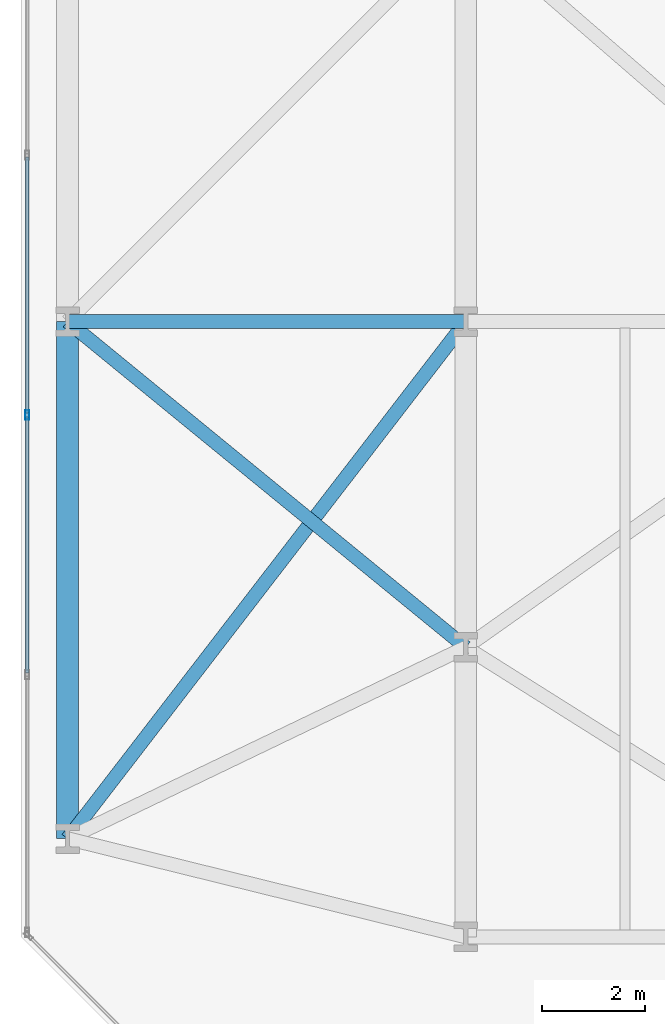
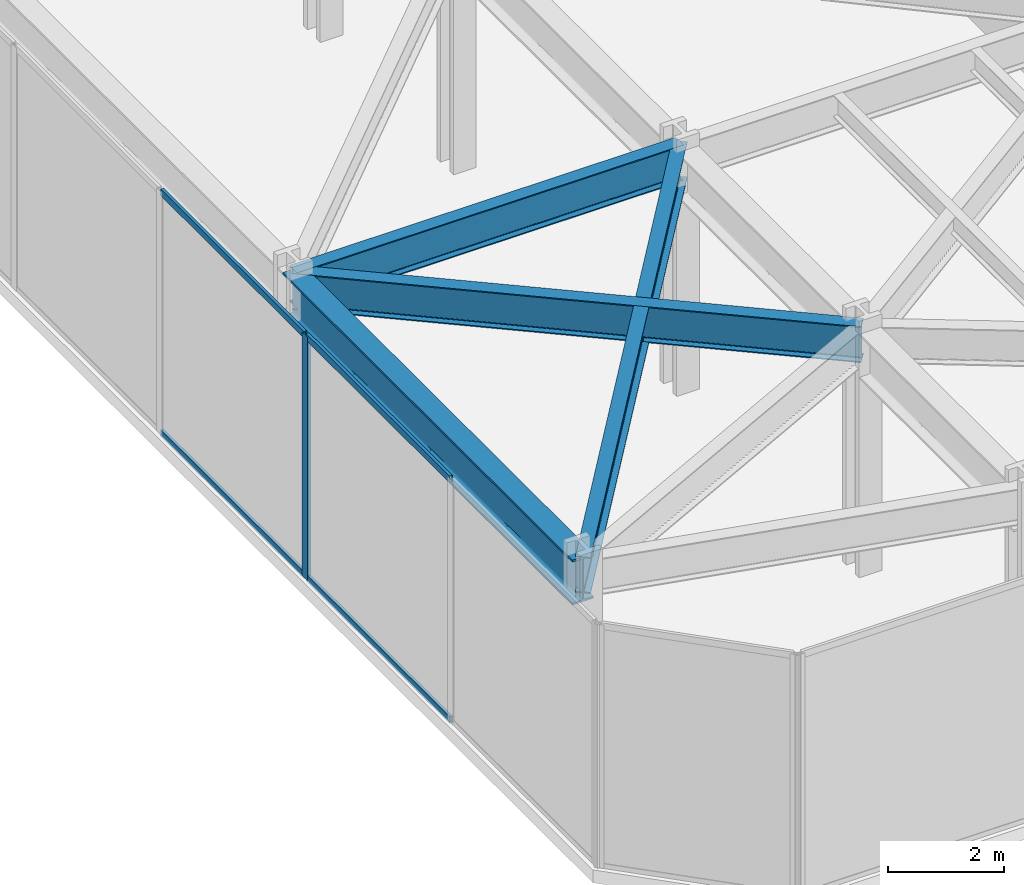
# One storey, part 4 of 29: 5 members, 4 beams, 1 element without a shape of its own.
"""IFC4 building model written with IfcOpenShell, lengths in metres."""

from ifc_helpers import new_model, si_unit, direction, frame, origin, origin_2d, place, context, subcontext, project, spatial, hollow_rectangle, i_section, extrude, material, layer, layer_set, material_profile, profile_set, type_object, element, aggregate, save


model = new_model("IFC4")

# Units and contexts
model_context = context("Model", 3, precision=1e-05, world=origin(), true_north=direction((0.0, 1.0)))
body_context = subcontext(model_context, "Body", "Model", "MODEL_VIEW")
ifc_project = project(units=[si_unit("LENGTHUNIT", "METRE"), si_unit("AREAUNIT", "SQUARE_METRE"), si_unit("VOLUMEUNIT", "CUBIC_METRE"), si_unit("PLANEANGLEUNIT", "RADIAN"), si_unit("MASSUNIT", "GRAM", prefix="KILO")], contexts=[model_context])

# Site, building, storey
site_placement = place(None, origin())
site = spatial("IfcSite", under=ifc_project, at=site_placement, CompositionType="ELEMENT")
building_placement = place(site_placement, origin())
building = spatial("IfcBuilding", under=site, at=building_placement, Name="Kravanh Interchange Tower", CompositionType="ELEMENT")
storey_placement = place(building_placement, frame((0.0, 0.0, 5.39990234375)))
storey = spatial("IfcBuildingStorey", under=building, at=storey_placement, Name="L01", CompositionType="ELEMENT", Elevation=5.39990234375)

# Curtain wall, members
ifc_material_1 = material(Name="Anodised Bronze Aluminium", Category="aluminium")
ifc_layer = layer(ifc_material_1, 0.179931640625)
ifc_layer_set = layer_set([ifc_layer], Name="Unitised Curtain Wall System CW-POD Podium Concourse")
curtain_wall_type = type_object("IfcCurtainWallType", Name="Unitised Curtain Wall System CW-POD Podium Concourse", PredefinedType="NOTDEFINED", material=ifc_layer_set)
curtain_wall_placement = place(storey_placement, origin())
curtain_wall = element("IfcCurtainWall", 1, at=curtain_wall_placement, inside=storey, type_object=curtain_wall_type, Name="L01 Unitised Curtain Wall CW-L01-01", PredefinedType="NOTDEFINED")
ifc_material_2 = material(Name="Anodised Bronze Aluminium", Category="aluminium")
ifc_material_profile_1 = material_profile(ifc_material_2, hollow_rectangle(XDim=0.070068359375, YDim=0.179931640625, WallThickness=0.00390625, at=origin_2d()), Name="ALU70X180X4")
ifc_profile_set_1 = profile_set([ifc_material_profile_1], Name="Anodised Bronze Aluminium")
member_type_1 = type_object("IfcMemberType", Name="Curtain Wall Mullion ALU70X180X4 Bronze", PredefinedType="MULLION", material=ifc_profile_set_1)
member_1_placement = place(storey_placement, frame((0.1201171875, 12.692626953125, 0.0), z_axis=(0.0, 0.0, 1.0), x_axis=(-1.0, 0.0, 0.0)))
member_1 = element("IfcMember", 2, at=member_1_placement, type_object=member_type_1, Name="CW-POD mullion 3", PredefinedType="MULLION", context=body_context, shape_type="SweptSolid", body=[
    extrude(hollow_rectangle(XDim=0.070068359375, YDim=0.179931640625, WallThickness=0.00390625, at=origin_2d()), origin(), (0.0, 0.0, 1.0), 5.130126953125),
])
ifc_material_3 = material(Name="Anodised Bronze Aluminium", Category="aluminium")
ifc_material_profile_2 = material_profile(ifc_material_3, hollow_rectangle(XDim=0.06005859375, YDim=0.139892578125, WallThickness=0.00390625, at=origin_2d()), Name="ALU60X140X4")
ifc_profile_set_2 = profile_set([ifc_material_profile_2], Name="Anodised Bronze Aluminium")
member_type_2 = type_object("IfcMemberType", Name="Curtain Wall Transom ALU60X140X4 Bronze", PredefinedType="USERDEFINED", material=ifc_profile_set_2)
member_2_placement = place(storey_placement, frame((0.1201171875, 7.7060546875, 0.030029296875), z_axis=(0.0, 1.0, 0.0), x_axis=(-1.0, 0.0, 0.0)))
member_2 = element("IfcMember", 3, at=member_2_placement, type_object=member_type_2, Name="CW-POD transom 2.1", ObjectType="TRANSOM", PredefinedType="USERDEFINED", context=body_context, shape_type="SweptSolid", body=[
    extrude(hollow_rectangle(XDim=0.06005859375, YDim=0.139892578125, WallThickness=0.00390625, at=origin_2d()), origin(), (0.0, 0.0, 1.0), 4.95166015625),
])
member_3_placement = place(storey_placement, frame((0.1201171875, 7.7060546875, 5.10009765625), z_axis=(0.0, 1.0, 0.0), x_axis=(-1.0, 0.0, 0.0)))
member_3 = element("IfcMember", 4, at=member_3_placement, type_object=member_type_2, Name="CW-POD transom 2.2", ObjectType="TRANSOM", PredefinedType="USERDEFINED", context=body_context, shape_type="SweptSolid", body=[
    extrude(hollow_rectangle(XDim=0.06005859375, YDim=0.139892578125, WallThickness=0.00390625, at=origin_2d()), origin(), (0.0, 0.0, 1.0), 4.95166015625),
])
member_4_placement = place(storey_placement, frame((0.1201171875, 12.7275390625, 0.030029296875), z_axis=(0.0, 1.0, 0.0), x_axis=(-1.0, 0.0, 0.0)))
member_4 = element("IfcMember", 5, at=member_4_placement, type_object=member_type_2, Name="CW-POD transom 3.1", ObjectType="TRANSOM", PredefinedType="USERDEFINED", context=body_context, shape_type="SweptSolid", body=[
    extrude(hollow_rectangle(XDim=0.06005859375, YDim=0.139892578125, WallThickness=0.00390625, at=origin_2d()), origin(), (0.0, 0.0, 1.0), 4.95166015625),
])
member_5_placement = place(storey_placement, frame((0.1201171875, 12.7275390625, 5.10009765625), z_axis=(0.0, 1.0, 0.0), x_axis=(-1.0, 0.0, 0.0)))
member_5 = element("IfcMember", 6, at=member_5_placement, type_object=member_type_2, Name="CW-POD transom 3.2", ObjectType="TRANSOM", PredefinedType="USERDEFINED", context=body_context, shape_type="SweptSolid", body=[
    extrude(hollow_rectangle(XDim=0.06005859375, YDim=0.139892578125, WallThickness=0.00390625, at=origin_2d()), origin(), (0.0, 0.0, 1.0), 4.95166015625),
])
aggregate(curtain_wall, [member_1, member_2, member_3, member_4, member_5])

# Beams
ifc_material_4 = material(Name="Structural Steel S450", Category="steel")
ifc_material_profile_3 = material_profile(ifc_material_4, i_section(OverallWidth=0.423095703125, OverallDepth=0.947998046875, WebThickness=0.02392578125, FlangeThickness=0.042724609375, FilletRadius=0.028076171875, at=origin_2d()), Name="W36X302")
ifc_profile_set_3 = profile_set([ifc_material_profile_3], Name="Structural Steel S450")
beam_type_1 = type_object("IfcBeamType", Name="Floor Beam W36X302 Structural Steel S450", PredefinedType="BEAM", material=ifc_profile_set_3)
beam_1_placement = place(storey_placement, frame((0.89990234375, 4.5, 4.656005859375), z_axis=(0.0, 1.0, 0.0), x_axis=(-1.0, 0.0, 0.0)))
element("IfcBeam", 7, at=beam_1_placement, inside=storey, type_object=beam_type_1, Name="L01 Primary Floor Girder 122", PredefinedType="BEAM", context=body_context, shape_type="SweptSolid", body=[
    extrude(i_section(OverallWidth=0.423095703125, OverallDepth=0.947998046875, WebThickness=0.02392578125, FlangeThickness=0.042724609375, FilletRadius=0.028076171875, at=origin_2d()), origin(), (0.0, 0.0, 1.0), 10.0),
])
ifc_material_5 = material(Name="Structural Steel S355", Category="steel")
ifc_material_profile_4 = material_profile(ifc_material_5, i_section(OverallWidth=0.26708984375, OverallDepth=0.761962890625, WebThickness=0.014404296875, FlangeThickness=0.021484375, FilletRadius=0.02490234375, at=origin_2d()), Name="W30X116")
ifc_profile_set_4 = profile_set([ifc_material_profile_4], Name="Structural Steel S355")
beam_type_2 = type_object("IfcBeamType", Name="Floor Spandrel W30X116 Structural Steel S355", PredefinedType="SPANDREL", material=ifc_profile_set_4)
beam_2_placement = place(storey_placement, frame((8.60009765625, 8.199951171875, 4.7490234375), z_axis=(-0.773962765803, 0.633231108799, 0.0), x_axis=(-0.633231108799, -0.773962765803, 0.0)))
element("IfcBeam", 8, at=beam_2_placement, inside=storey, type_object=beam_type_2, Name="L01 Perimeter Spandrel 25", PredefinedType="SPANDREL", context=body_context, shape_type="SweptSolid", body=[
    extrude(i_section(OverallWidth=0.26708984375, OverallDepth=0.761962890625, WebThickness=0.014404296875, FlangeThickness=0.021484375, FilletRadius=0.02490234375, at=origin_2d()), origin(), (0.0, 0.0, 1.0), 9.948974609375),
])
beam_3_placement = place(storey_placement, frame((8.60009765625, 14.5, 4.7490234375), z_axis=(-1.0, 0.0, 0.0), x_axis=(0.0, -1.0, 0.0)))
element("IfcBeam", 9, at=beam_3_placement, inside=storey, type_object=beam_type_2, Name="L01 Perimeter Spandrel 38", PredefinedType="SPANDREL", context=body_context, shape_type="SweptSolid", body=[
    extrude(i_section(OverallWidth=0.26708984375, OverallDepth=0.761962890625, WebThickness=0.014404296875, FlangeThickness=0.021484375, FilletRadius=0.02490234375, at=origin_2d()), origin(), (0.0, 0.0, 1.0), 7.7001953125),
])
beam_4_placement = place(storey_placement, frame((8.60009765625, 14.5, 4.7490234375), z_axis=(-0.610103314761, -0.792321869771, 0.0), x_axis=(0.792321869771, -0.610103314761, 0.0)))
element("IfcBeam", 10, at=beam_4_placement, inside=storey, type_object=beam_type_2, Name="L01 Perimeter Spandrel 40", PredefinedType="SPANDREL", context=body_context, shape_type="SweptSolid", body=[
    extrude(i_section(OverallWidth=0.26708984375, OverallDepth=0.761962890625, WebThickness=0.014404296875, FlangeThickness=0.021484375, FilletRadius=0.02490234375, at=origin_2d()), origin(), (0.0, 0.0, 1.0), 12.62109375),
])

save(model, "model.ifc")
